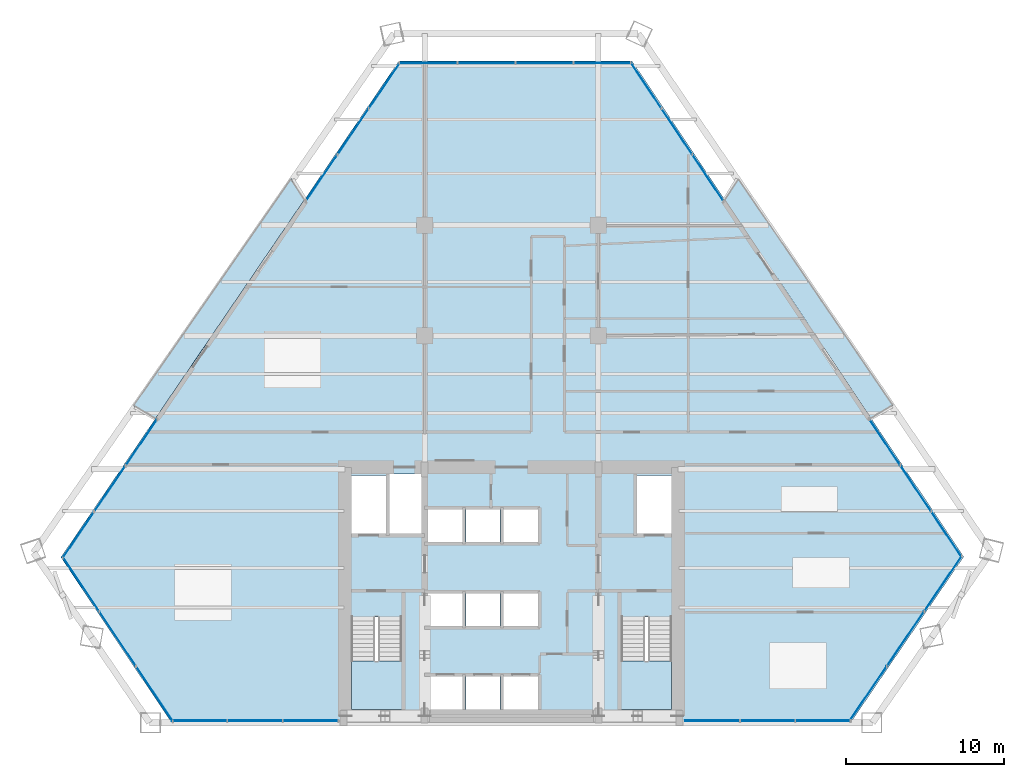
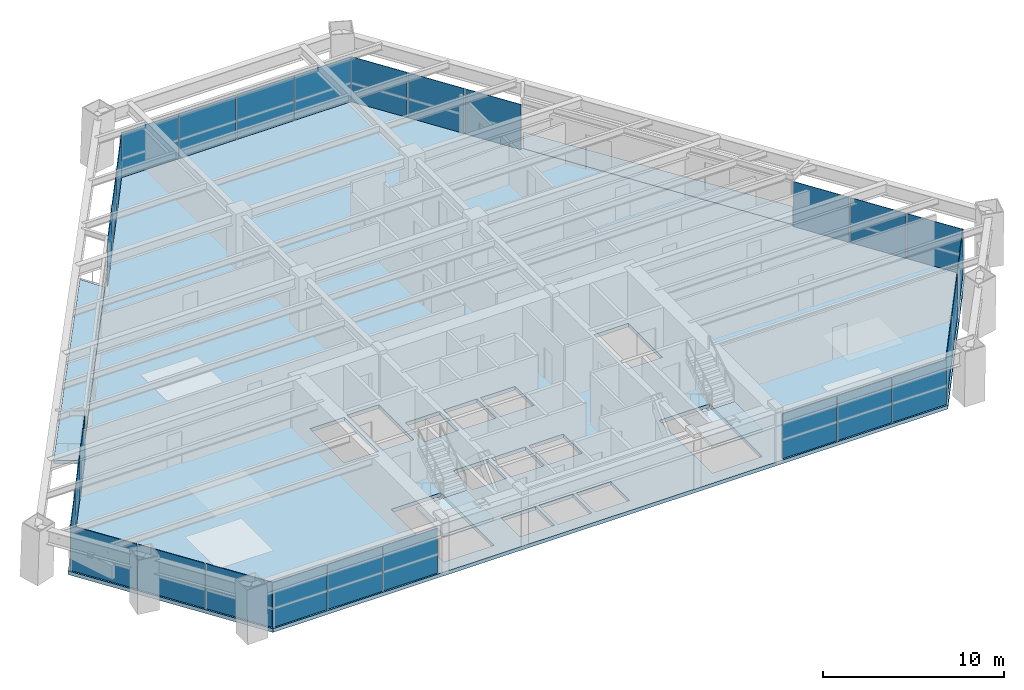
# One storey, part 9 of 14: 28 plates, 5 slabs, 11 elements without a shape of their own.
"""IFC4 building model written with IfcOpenShell, lengths in metres."""

import ifcopenshell
import ifcopenshell.guid

model = None  # the IFC model being written
_history = None  # IfcOwnerHistory: only IFC2X3 demands one
_inside = {}  # id of a spatial element -> (the spatial element, [elements in it])
_under = {}  # id of a project, library or spatial element -> (it, [spatial elements below it])
_declared = {}  # id of a project -> (the project, [libraries it declares])
_typed = {}  # id of a type object -> (the type object, [elements of that type])
_made_of = {}  # id of a material, layer set ... -> (it, [elements and type objects made of it])


def new_model(schema):
    """Start an empty IFC model of exactly this schema.

    Asked for "IFC4X3", IfcOpenShell would pick the latest addendum, in which some entities
    have other attributes; the version numbers below select the first issue.
    IFC2X3 requires an IfcOwnerHistory on every rooted entity: one is made here for all.
    """
    global model, _history
    if schema == "IFC4X3":
        model = ifcopenshell.file(schema_version=(4, 3, 0, 0))
    else:
        model = ifcopenshell.file(schema=schema)
    _inside.clear()
    _under.clear()
    _declared.clear()
    _typed.clear()
    _made_of.clear()
    _history = None
    if model.schema == "IFC2X3":
        org = make("IfcOrganization", Name="unknown")
        user = make(
            "IfcPersonAndOrganization",
            ThePerson=make("IfcPerson", FamilyName="unknown"),
            TheOrganization=org,
        )
        app = make(
            "IfcApplication",
            ApplicationDeveloper=org,
            Version="unknown",
            ApplicationFullName="unknown",
            ApplicationIdentifier="unknown",
        )
        _history = make(
            "IfcOwnerHistory",
            OwningUser=user,
            OwningApplication=app,
            ChangeAction="ADDED",
            CreationDate=0,
        )
    return model


def make(cls, **values):
    """One entity of the class cls with the attributes given. An attribute that is None is left unset."""
    return model.create_entity(
        cls, **{name: value for name, value in values.items() if value is not None}
    )


def rooted(cls, **values):
    """An entity with a GlobalId (a new one), such as an element, a storey or a relation."""
    return make(cls, GlobalId=ifcopenshell.guid.new(), OwnerHistory=_history, **values)


def si_unit(unit_type, name, prefix=None):
    """IfcSIUnit, for example si_unit("LENGTHUNIT", "METRE", prefix="MILLI")."""
    return make("IfcSIUnit", UnitType=unit_type, Prefix=prefix, Name=name)


def assignment(units):
    """IfcUnitAssignment: the units of a project."""
    return None if units is None else make("IfcUnitAssignment", Units=units)


def point(xyz):
    """IfcCartesianPoint."""
    return None if xyz is None else make("IfcCartesianPoint", Coordinates=xyz)


def direction(xyz):
    """IfcDirection."""
    return None if xyz is None else make("IfcDirection", DirectionRatios=xyz)


def frame(location, z_axis=None, x_axis=None):
    """IfcAxis2Placement3D, a coordinate frame: its origin and axes. An axis left out is left unset."""
    return make(
        "IfcAxis2Placement3D",
        Location=point(location),
        Axis=direction(z_axis),
        RefDirection=direction(x_axis),
    )


def frame_2d(location, x_axis=None):
    """IfcAxis2Placement2D, a coordinate frame in the plane: its origin and x axis."""
    return make(
        "IfcAxis2Placement2D", Location=point(location), RefDirection=direction(x_axis)
    )


def origin():
    """The frame at (0, 0, 0) with its axes left unset."""
    return frame((0.0, 0.0, 0.0))


def origin_2d():
    """The frame at (0, 0) in the plane with its x axis left unset."""
    return frame_2d((0.0, 0.0))


def place(relative_to, where):
    """IfcLocalPlacement: puts the frame where relative to a parent placement (None: the world)."""
    return make(
        "IfcLocalPlacement", PlacementRelTo=relative_to, RelativePlacement=where
    )


def context(
    kind, dimensions, precision=None, world=None, true_north=None, identifier=None
):
    """IfcGeometricRepresentationContext, for example the 3D "Model" context."""
    return make(
        "IfcGeometricRepresentationContext",
        ContextIdentifier=identifier,
        ContextType=kind,
        CoordinateSpaceDimension=dimensions,
        Precision=precision,
        WorldCoordinateSystem=world,
        TrueNorth=true_north,
    )


def subcontext(parent, identifier, kind, view, scale=None):
    """IfcGeometricRepresentationSubContext, for example "Body" below "Model"."""
    return make(
        "IfcGeometricRepresentationSubContext",
        ContextIdentifier=identifier,
        ContextType=kind,
        ParentContext=parent,
        TargetScale=scale,
        TargetView=view,
    )


def project(units=None, contexts=None):
    """IfcProject with its units and contexts."""
    return rooted(
        "IfcProject",
        Name="project",
        RepresentationContexts=contexts,
        UnitsInContext=assignment(units),
    )


def spatial(cls, under=None, at=None, **own):
    """A site, building, storey or space (cls), placed at a placement, below another one or the project."""
    s = rooted(cls, ObjectPlacement=at, **own)
    if under is not None:
        _under.setdefault(under.id(), (under, []))[1].append(s)
    return s


def polyline(points):
    """IfcPolyline through the points."""
    return make("IfcPolyline", Points=[point(p) for p in points])


def profile(cls, at=None, kind="AREA", **sizes):
    """A parametric profile (cls). Its sizes go by their IFC names, for example OverallWidth=200.0."""
    return make(cls, ProfileType=kind, Position=at, **sizes)


def rectangle(**sizes):
    """IfcRectangleProfileDef."""
    return profile("IfcRectangleProfileDef", **sizes)


def outline(outer, holes=None, kind="AREA"):
    """IfcArbitraryClosedProfileDef: a profile drawn as a closed curve; with holes, ...WithVoids."""
    if holes is None:
        return make("IfcArbitraryClosedProfileDef", ProfileType=kind, OuterCurve=outer)
    return make(
        "IfcArbitraryProfileDefWithVoids",
        ProfileType=kind,
        OuterCurve=outer,
        InnerCurves=holes,
    )


def extrude(swept, where, along, depth):
    """IfcExtrudedAreaSolid: the profile swept, set in the frame where, extruded along a direction by depth."""
    return make(
        "IfcExtrudedAreaSolid",
        SweptArea=swept,
        Position=where,
        ExtrudedDirection=direction(along),
        Depth=depth,
    )


def shape(context_of_items, identifier, shape_type, items):
    """IfcShapeRepresentation: the items that make up one representation, for example the "Body"."""
    return make(
        "IfcShapeRepresentation",
        ContextOfItems=context_of_items,
        RepresentationIdentifier=identifier,
        RepresentationType=shape_type,
        Items=items,
    )


def source(mapping_origin, context_of_items, identifier, shape_type, items):
    """IfcRepresentationMap: a shape defined once, which mapped items show again and again."""
    return make(
        "IfcRepresentationMap",
        MappingOrigin=mapping_origin,
        MappedRepresentation=shape(context_of_items, identifier, shape_type, items),
    )


def transform(
    local_origin,
    x_axis=None,
    y_axis=None,
    z_axis=None,
    scale=None,
    scale2=None,
    scale3=None,
    uniform=True,
):
    """IfcCartesianTransformationOperator3D, or its non-uniform kind. x_axis, y_axis, z_axis: its Axis1, 2, 3."""
    if uniform:
        return make(
            "IfcCartesianTransformationOperator3D",
            Axis1=direction(x_axis),
            Axis2=direction(y_axis),
            LocalOrigin=point(local_origin),
            Scale=scale,
            Axis3=direction(z_axis),
        )
    return make(
        "IfcCartesianTransformationOperator3DnonUniform",
        Axis1=direction(x_axis),
        Axis2=direction(y_axis),
        LocalOrigin=point(local_origin),
        Scale=scale,
        Axis3=direction(z_axis),
        Scale2=scale2,
        Scale3=scale3,
    )


def mapped(mapping_source, mapping_target):
    """IfcMappedItem: shows the shape of a source again, moved by a transform."""
    return make(
        "IfcMappedItem", MappingSource=mapping_source, MappingTarget=mapping_target
    )


def material(Name=None, Category=None):
    """IfcMaterial."""
    return make("IfcMaterial", Name=Name, Category=Category)


def layer(
    of_material, thickness, ventilated=None, Name=None, Category=None, Priority=None
):
    """IfcMaterialLayer: one layer of a wall or slab, of a material (None: an air gap)."""
    return make(
        "IfcMaterialLayer",
        Material=of_material,
        LayerThickness=thickness,
        IsVentilated=ventilated,
        Name=Name,
        Category=Category,
        Priority=Priority,
    )


def layer_set(layers, Name=None):
    """IfcMaterialLayerSet."""
    return make("IfcMaterialLayerSet", MaterialLayers=layers, LayerSetName=Name)


def made_of(thing, what):
    """Note that an element or type object is made of a material, layer set ...; save() writes the relation."""
    if what is not None:
        _made_of.setdefault(what.id(), (what, []))[1].append(thing)
    return thing


def type_object(cls, material=None, **own):
    """A type object (cls), such as IfcWallType, which elements share."""
    return made_of(rooted(cls, **own), material)


def element(
    cls,
    number,
    at=None,
    inside=None,
    cuts=None,
    type_object=None,
    material=None,
    context=None,
    identifier="Body",
    shape_type=None,
    held_by="IfcProductDefinitionShape",
    body=None,
    shapes=None,
    **own,
):
    """One element of the class cls, such as IfcWall. Its Tag is "e" and its number.

    at: its placement. inside: the storey or other place that contains it. cuts: it is an
    opening in that element (IfcRelVoidsElement). A single representation is given by context,
    identifier, shape_type and body (its items); several are given by shapes. held_by: the class
    of the entity that holds the representations. save() writes the other relations.
    """
    e = rooted(cls, Tag="e%d" % number, ObjectPlacement=at, **own)
    if body is not None:
        shapes = [shape(context, identifier, shape_type, body)]
    if shapes is not None:
        e.Representation = make(held_by, Representations=shapes)
    if inside is not None:
        _inside.setdefault(inside.id(), (inside, []))[1].append(e)
    if cuts is not None:
        rooted(
            "IfcRelVoidsElement", RelatingBuildingElement=cuts, RelatedOpeningElement=e
        )
    if type_object is not None:
        _typed.setdefault(type_object.id(), (type_object, []))[1].append(e)
    return made_of(e, material)


def aggregate(whole, parts):
    """IfcRelAggregates: a whole, such as a stair, and the parts it consists of."""
    return rooted("IfcRelAggregates", RelatingObject=whole, RelatedObjects=parts)


def save(model, path):
    """Write the relations noted so far, then the file.

    IfcRelAggregates (storeys below a building ...), IfcRelContainedInSpatialStructure (elements
    in a storey), IfcRelDefinesByType, IfcRelAssociatesMaterial and IfcRelDeclares: one each for
    every whole, place, type object, material and project.
    """
    for whole, parts in _under.values():
        aggregate(whole, parts)
    for where, things in _inside.values():
        rooted(
            "IfcRelContainedInSpatialStructure",
            RelatedElements=things,
            RelatingStructure=where,
        )
    for kind, things in _typed.values():
        rooted("IfcRelDefinesByType", RelatedObjects=things, RelatingType=kind)
    for what, things in _made_of.values():
        rooted("IfcRelAssociatesMaterial", RelatedObjects=things, RelatingMaterial=what)
    for by, libraries in _declared.values():
        rooted("IfcRelDeclares", RelatingContext=by, RelatedDefinitions=libraries)
    model.write(path)


model = new_model("IFC4")

# Units and contexts
model_context = context("Model", 3, precision=1e-05, world=origin(), true_north=direction((0.0, 1.0)))
body_context = subcontext(model_context, "Body", "Model", "MODEL_VIEW")
ifc_project = project(units=[si_unit("LENGTHUNIT", "METRE"), si_unit("AREAUNIT", "SQUARE_METRE"), si_unit("VOLUMEUNIT", "CUBIC_METRE"), si_unit("PLANEANGLEUNIT", "RADIAN"), si_unit("MASSUNIT", "GRAM", prefix="KILO")], contexts=[model_context])

# Site, building, storey
site_placement = place(None, origin())
site = spatial("IfcSite", under=ifc_project, at=site_placement, CompositionType="ELEMENT")
building_placement = place(site_placement, origin())
building = spatial("IfcBuilding", under=site, at=building_placement, Name="Varnakhor Terracotta Tower", CompositionType="ELEMENT")
storey_placement = place(building_placement, frame((0.0, 0.0, 49.699951171875)))
storey = spatial("IfcBuildingStorey", under=building, at=storey_placement, Name="L11", CompositionType="ELEMENT", Elevation=49.699951171875)

# Stair, slab
ifc_material_1 = material(Name="Concrete C40/50", Category="concrete")
stair_type = type_object("IfcStairType", Name="STR-CORE-OFFICE-1500", PredefinedType="HALF_TURN_STAIR", material=ifc_material_1)
stair_1_placement = place(storey_placement, origin())
stair_1 = element("IfcStair", 1, at=stair_1_placement, inside=storey, type_object=stair_type, Name="L11 Core Exit Stair ST-1", PredefinedType="HALF_TURN_STAIR")
ifc_layer_1 = layer(ifc_material_1, 0.179931640625, Name="Concrete C40/50")
ifc_layer_set_1 = layer_set([ifc_layer_1], Name="Concrete C40/50")
slab_type_1 = type_object("IfcSlabType", Name="SLB-LANDING-180", PredefinedType="LANDING", material=ifc_layer_set_1)
slab_1_placement = place(storey_placement, frame((0.0, 0.0, 1.650146484375)))
slab_1 = element("IfcSlab", 2, at=slab_1_placement, type_object=slab_type_1, Name="ST-1 landing 1", PredefinedType="LANDING", context=body_context, shape_type="SweptSolid", body=[
    extrude(outline(polyline([(-10.14990234375, 3.909912109375), (-10.14990234375, 0.85009765625), (-6.949951171875, 0.85009765625), (-6.949951171875, 3.909912109375), (-10.14990234375, 3.909912109375)])), origin(), (0.0, 0.0, 1.0), 0.199951171875),
])
aggregate(stair_1, [slab_1])

stair_2_placement = place(storey_placement, origin())
stair_2 = element("IfcStair", 3, at=stair_2_placement, inside=storey, type_object=stair_type, Name="L11 Core Exit Stair ST-2", PredefinedType="HALF_TURN_STAIR")
slab_2_placement = place(storey_placement, frame((0.0, 0.0, 1.650146484375)))
slab_2 = element("IfcSlab", 4, at=slab_2_placement, type_object=slab_type_1, Name="ST-2 landing 1", PredefinedType="LANDING", context=body_context, shape_type="SweptSolid", body=[
    extrude(outline(polyline([(6.949951171875, 3.909912109375), (6.949951171875, 0.85009765625), (10.14990234375, 0.85009765625), (10.14990234375, 3.909912109375), (6.949951171875, 3.909912109375)])), origin(), (0.0, 0.0, 1.0), 0.199951171875),
])
aggregate(stair_2, [slab_2])

# Slabs
ifc_layer_2 = layer(ifc_material_1, 0.195068359375, Name="Concrete C40/50")
ifc_layer_set_2 = layer_set([ifc_layer_2], Name="Concrete C40/50")
slab_type_2 = type_object("IfcSlabType", Name="SLB-LOGGIA-EXT-195", PredefinedType="FLOOR", material=ifc_layer_set_2)
slab_3_placement = place(storey_placement, frame((0.0, 0.0, -0.195068359375)))
element("IfcSlab", 5, at=slab_3_placement, inside=storey, type_object=slab_type_2, Name="L11 E Recessed Outdoor Loggia Slab", PredefinedType="FLOOR", context=body_context, shape_type="SweptSolid", body=[
    extrude(outline(polyline([(14.34130859375, 34.466064453125), (24.1591796875, 20.08984375), (22.762939453125, 19.304443359375), (13.52001953125, 33.118896484375), (14.34130859375, 34.466064453125)])), origin(), (0.0, 0.0, 1.0), 0.195068359375),
])
slab_4_placement = place(storey_placement, frame((0.0, 0.0, -0.195068359375)))
element("IfcSlab", 6, at=slab_4_placement, inside=storey, type_object=slab_type_2, Name="L11 W Recessed Outdoor Loggia Slab", PredefinedType="FLOOR", context=body_context, shape_type="SweptSolid", body=[
    extrude(outline(polyline([(-23.9482421875, 20.0595703125), (-13.951416015625, 34.454345703125), (-13.12939453125, 33.107421875), (-14.80078125, 30.65380859375), (-22.550537109375, 19.275390625), (-23.9482421875, 20.0595703125)])), origin(), (0.0, 0.0, 1.0), 0.195068359375),
])
ifc_layer_3 = layer(ifc_material_1, 0.25, Name="Concrete C40/50")
ifc_layer_set_3 = layer_set([ifc_layer_3], Name="Concrete C40/50")
slab_type_3 = type_object("IfcSlabType", Name="SLB-OFF-250", PredefinedType="FLOOR", material=ifc_layer_set_3)
slab_5_placement = place(storey_placement, frame((0.0, 0.0, -0.25)))
element("IfcSlab", 7, at=slab_5_placement, inside=storey, type_object=slab_type_3, Name="L11 Structural Floor Slab", PredefinedType="FLOOR", context=body_context, shape_type="SweptSolid", body=[
    extrude(outline(polyline([(-28.5458984375, 10.47314453125), (-7.13427734375, 41.909912109375), (7.63818359375, 41.909912109375), (28.644775390625, 10.513427734375), (21.48388671875, 0.0), (-21.53857421875, 0.0), (-28.5458984375, 10.47314453125)]), holes=[polyline([(-3.10009765625, 0.85009765625), (-3.10009765625, 2.949951171875), (-5.300048828125, 2.949951171875), (-5.300048828125, 0.85009765625), (-3.10009765625, 0.85009765625)]), polyline([(-2.8798828125, 0.85009765625), (-0.719970703125, 0.85009765625), (-0.719970703125, 2.949951171875), (-2.8798828125, 2.949951171875), (-2.8798828125, 0.85009765625)]), polyline([(-10.14990234375, 0.85009765625), (-6.949951171875, 0.85009765625), (-6.949951171875, 6.695068359375), (-10.14990234375, 6.695068359375), (-10.14990234375, 0.85009765625)]), polyline([(-5.300048828125, 6.10009765625), (-3.10009765625, 6.10009765625), (-3.10009765625, 8.199951171875), (-5.300048828125, 8.199951171875), (-5.300048828125, 6.10009765625)]), polyline([(-5.300048828125, 11.419921875), (-3.10009765625, 11.419921875), (-3.10009765625, 13.52001953125), (-5.300048828125, 13.52001953125), (-5.300048828125, 11.419921875)]), polyline([(-10.14990234375, 11.8798828125), (-7.949951171875, 11.8798828125), (-7.949951171875, 15.64990234375), (-10.14990234375, 15.64990234375), (-10.14990234375, 11.8798828125)]), polyline([(-7.72998046875, 11.8798828125), (-5.699951171875, 11.8798828125), (-5.699951171875, 15.75), (-7.72998046875, 15.75), (-7.72998046875, 11.8798828125)]), polyline([(1.699951171875, 0.85009765625), (1.699951171875, 2.949951171875), (-0.5, 2.949951171875), (-0.5, 0.85009765625), (1.699951171875, 0.85009765625)]), polyline([(6.949951171875, 0.85009765625), (10.14990234375, 0.85009765625), (10.14990234375, 6.695068359375), (6.949951171875, 6.695068359375), (6.949951171875, 0.85009765625)]), polyline([(-2.8798828125, 6.10009765625), (-0.719970703125, 6.10009765625), (-0.719970703125, 8.199951171875), (-2.8798828125, 8.199951171875), (-2.8798828125, 6.10009765625)]), polyline([(-0.5, 6.10009765625), (1.699951171875, 6.10009765625), (1.699951171875, 8.199951171875), (-0.5, 8.199951171875), (-0.5, 6.10009765625)]), polyline([(-2.8798828125, 11.419921875), (-0.719970703125, 11.419921875), (-0.719970703125, 13.52001953125), (-2.8798828125, 13.52001953125), (-2.8798828125, 11.419921875)]), polyline([(-0.5, 11.419921875), (1.699951171875, 11.419921875), (1.699951171875, 13.52001953125), (-0.5, 13.52001953125), (-0.5, 11.419921875)]), polyline([(7.949951171875, 11.8798828125), (10.14990234375, 11.8798828125), (10.14990234375, 15.64990234375), (7.949951171875, 15.64990234375), (7.949951171875, 11.8798828125)])]), origin(), (0.0, 0.0, 1.0), 0.25),
])

# Curtain wall, plates
ifc_material_2 = material(Name="Anodised Aluminium Curtain Wall System", Category="aluminium")
curtain_wall_type = type_object("IfcCurtainWallType", Name="CW-SYS-LOW-OFFICE", PredefinedType="NOTDEFINED", material=ifc_material_2)
curtain_wall_1_placement = place(storey_placement, origin())
curtain_wall_1 = element("IfcCurtainWall", 8, at=curtain_wall_1_placement, inside=storey, type_object=curtain_wall_type, Name="L11 W Facet Curtain Wall 1", PredefinedType="NOTDEFINED")
ifc_material_3 = material(Name="Solar-Control Low-E Insulated Glass Panel", Category="glass")
ifc_layer_4 = layer(ifc_material_3, 0.0380859375, Name="Solar-Control Low-E Insulated Glass Panel")
ifc_layer_set_4 = layer_set([ifc_layer_4], Name="Solar-Control Low-E Insulated Glass Panel")
plate_type = type_object("IfcPlateType", Name="CWP-02", PredefinedType="CURTAIN_PANEL", material=ifc_layer_set_4)
shared_shape_1 = source(origin(), body_context, "Body", "SweptSolid", [
    extrude(rectangle(XDim=3.489990234375, YDim=0.035888671875, at=origin_2d()), origin(), (0.0, 0.0, 1.0), 3.030029296875),
])
plate_1_placement = place(storey_placement, frame((-27.43603515625, 11.88916015625, 0.0), z_axis=(0.0, 0.0, 1.0), x_axis=(0.562934761165, 0.826501333739, 0.0)))
plate_1 = element("IfcPlate", 9, at=plate_1_placement, type_object=plate_type, Name="L11 W Facet Curtain Wall 1 Glazed Panel 1", PredefinedType="CURTAIN_PANEL", context=body_context, shape_type="MappedRepresentation", body=[
    mapped(shared_shape_1, transform((0.0, 0.0, 0.0), scale=1.0)),
])
plate_2_placement = place(storey_placement, frame((-25.448974609375, 14.806640625, 0.0), z_axis=(0.0, 0.0, 1.0), x_axis=(0.562934761165, 0.826501333739, 0.0)))
plate_2 = element("IfcPlate", 10, at=plate_2_placement, type_object=plate_type, Name="L11 W Facet Curtain Wall 1 Glazed Panel 2", PredefinedType="CURTAIN_PANEL", context=body_context, shape_type="MappedRepresentation", body=[
    mapped(shared_shape_1, transform((0.0, 0.0, 0.0), scale=1.0)),
])
plate_3_placement = place(storey_placement, frame((-23.4619140625, 17.72412109375, 0.0), z_axis=(0.0, 0.0, 1.0), x_axis=(0.562934761165, 0.826501333739, 0.0)))
plate_3 = element("IfcPlate", 11, at=plate_3_placement, type_object=plate_type, Name="L11 W Facet Curtain Wall 1 Glazed Panel 3", PredefinedType="CURTAIN_PANEL", context=body_context, shape_type="MappedRepresentation", body=[
    mapped(shared_shape_1, transform((0.0, 0.0, 0.0), scale=1.0)),
])
aggregate(curtain_wall_1, [plate_1, plate_2, plate_3])

curtain_wall_2_placement = place(storey_placement, origin())
curtain_wall_2 = element("IfcCurtainWall", 12, at=curtain_wall_2_placement, inside=storey, type_object=curtain_wall_type, Name="L11 W Facet Curtain Wall 2", PredefinedType="NOTDEFINED")
plate_4_placement = place(storey_placement, frame((-12.02001953125, 34.523681640625, 0.0), z_axis=(0.0, 0.0, 1.0), x_axis=(0.562934761165, 0.826501333739, 0.0)))
plate_4 = element("IfcPlate", 13, at=plate_4_placement, type_object=plate_type, Name="L11 W Facet Curtain Wall 2 Glazed Panel 1", PredefinedType="CURTAIN_PANEL", context=body_context, shape_type="MappedRepresentation", body=[
    mapped(shared_shape_1, transform((0.0, 0.0, 0.0), scale=1.0)),
])
plate_5_placement = place(storey_placement, frame((-10.03271484375, 37.441162109375, 0.0), z_axis=(0.0, 0.0, 1.0), x_axis=(0.562934761165, 0.826501333739, 0.0)))
plate_5 = element("IfcPlate", 14, at=plate_5_placement, type_object=plate_type, Name="L11 W Facet Curtain Wall 2 Glazed Panel 2", PredefinedType="CURTAIN_PANEL", context=body_context, shape_type="MappedRepresentation", body=[
    mapped(shared_shape_1, transform((0.0, 0.0, 0.0), scale=1.0)),
])
plate_6_placement = place(storey_placement, frame((-8.045654296875, 40.358642578125, 0.0), z_axis=(0.0, 0.0, 1.0), x_axis=(0.562934761165, 0.826501333739, 0.0)))
plate_6 = element("IfcPlate", 15, at=plate_6_placement, type_object=plate_type, Name="L11 W Facet Curtain Wall 2 Glazed Panel 3", PredefinedType="CURTAIN_PANEL", context=body_context, shape_type="MappedRepresentation", body=[
    mapped(shared_shape_1, transform((0.0, 0.0, 0.0), scale=1.0)),
])
aggregate(curtain_wall_2, [plate_4, plate_5, plate_6])

curtain_wall_3_placement = place(storey_placement, origin())
curtain_wall_3 = element("IfcCurtainWall", 16, at=curtain_wall_3_placement, inside=storey, type_object=curtain_wall_type, Name="L11 Facet Curtain Wall 2", PredefinedType="NOTDEFINED")
shared_shape_2 = source(origin(), body_context, "Body", "SweptSolid", [
    extrude(rectangle(XDim=3.63818359375, YDim=0.035888671875, at=origin_2d()), origin(), (0.0, 0.0, 1.0), 3.030029296875),
])
plate_7_placement = place(storey_placement, frame((-5.26513671875, 41.789794921875, 0.0), z_axis=(0.0, 0.0, 1.0), x_axis=(1.0, 0.0, 0.0)))
plate_7 = element("IfcPlate", 17, at=plate_7_placement, type_object=plate_type, Name="L11 Facet Curtain Wall 2 Glazed Panel 1", PredefinedType="CURTAIN_PANEL", context=body_context, shape_type="MappedRepresentation", body=[
    mapped(shared_shape_2, transform((0.0, 0.0, 0.0), scale=1.0)),
])
plate_8_placement = place(storey_placement, frame((-1.587158203125, 41.789794921875, 0.0), z_axis=(0.0, 0.0, 1.0), x_axis=(1.0, 0.0, 0.0)))
plate_8 = element("IfcPlate", 18, at=plate_8_placement, type_object=plate_type, Name="L11 Facet Curtain Wall 2 Glazed Panel 2", PredefinedType="CURTAIN_PANEL", context=body_context, shape_type="MappedRepresentation", body=[
    mapped(shared_shape_2, transform((0.0, 0.0, 0.0), scale=1.0)),
])
plate_9_placement = place(storey_placement, frame((2.091064453125, 41.789794921875, 0.0), z_axis=(0.0, 0.0, 1.0), x_axis=(1.0, 0.0, 0.0)))
plate_9 = element("IfcPlate", 19, at=plate_9_placement, type_object=plate_type, Name="L11 Facet Curtain Wall 2 Glazed Panel 3", PredefinedType="CURTAIN_PANEL", context=body_context, shape_type="MappedRepresentation", body=[
    mapped(shared_shape_2, transform((0.0, 0.0, 0.0), scale=1.0)),
])
plate_10_placement = place(storey_placement, frame((5.76904296875, 41.789794921875, 0.0), z_axis=(0.0, 0.0, 1.0), x_axis=(1.0, 0.0, 0.0)))
plate_10 = element("IfcPlate", 20, at=plate_10_placement, type_object=plate_type, Name="L11 Facet Curtain Wall 2 Glazed Panel 4", PredefinedType="CURTAIN_PANEL", context=body_context, shape_type="MappedRepresentation", body=[
    mapped(shared_shape_2, transform((0.0, 0.0, 0.0), scale=1.0)),
])
aggregate(curtain_wall_3, [plate_7, plate_8, plate_9, plate_10])

curtain_wall_4_placement = place(storey_placement, origin())
curtain_wall_4 = element("IfcCurtainWall", 21, at=curtain_wall_4_placement, inside=storey, type_object=curtain_wall_type, Name="L11 E Facet Curtain Wall 1", PredefinedType="NOTDEFINED")
shared_shape_3 = source(origin(), body_context, "Body", "SweptSolid", [
    extrude(rectangle(XDim=3.4658203125, YDim=0.035888671875, at=origin_2d()), origin(), (0.0, 0.0, 1.0), 3.030029296875),
])
plate_11_placement = place(storey_placement, frame((8.52978515625, 40.361083984375, 0.0), z_axis=(0.0, 0.0, 1.0), x_axis=(0.556092551085, -0.831120373127, 0.0)))
plate_11 = element("IfcPlate", 22, at=plate_11_placement, type_object=plate_type, Name="L11 E Facet Curtain Wall 1 Glazed Panel 1", PredefinedType="CURTAIN_PANEL", context=body_context, shape_type="MappedRepresentation", body=[
    mapped(shared_shape_3, transform((0.0, 0.0, 0.0), scale=1.0)),
])
plate_12_placement = place(storey_placement, frame((10.4794921875, 37.447509765625, 0.0), z_axis=(0.0, 0.0, 1.0), x_axis=(0.556092551085, -0.831120373127, 0.0)))
plate_12 = element("IfcPlate", 23, at=plate_12_placement, type_object=plate_type, Name="L11 E Facet Curtain Wall 1 Glazed Panel 2", PredefinedType="CURTAIN_PANEL", context=body_context, shape_type="MappedRepresentation", body=[
    mapped(shared_shape_3, transform((0.0, 0.0, 0.0), scale=1.0)),
])
plate_13_placement = place(storey_placement, frame((12.428955078125, 34.533935546875, 0.0), z_axis=(0.0, 0.0, 1.0), x_axis=(0.556092551085, -0.831120373127, 0.0)))
plate_13 = element("IfcPlate", 24, at=plate_13_placement, type_object=plate_type, Name="L11 E Facet Curtain Wall 1 Glazed Panel 3", PredefinedType="CURTAIN_PANEL", context=body_context, shape_type="MappedRepresentation", body=[
    mapped(shared_shape_3, transform((0.0, 0.0, 0.0), scale=1.0)),
])
aggregate(curtain_wall_4, [plate_11, plate_12, plate_13])

curtain_wall_5_placement = place(storey_placement, origin())
curtain_wall_5 = element("IfcCurtainWall", 25, at=curtain_wall_5_placement, inside=storey, type_object=curtain_wall_type, Name="L11 E Facet Curtain Wall 2", PredefinedType="NOTDEFINED")
plate_14_placement = place(storey_placement, frame((23.65478515625, 17.755859375, 0.0), z_axis=(0.0, 0.0, 1.0), x_axis=(0.556092551085, -0.831120373127, 0.0)))
plate_14 = element("IfcPlate", 26, at=plate_14_placement, type_object=plate_type, Name="L11 E Facet Curtain Wall 2 Glazed Panel 1", PredefinedType="CURTAIN_PANEL", context=body_context, shape_type="MappedRepresentation", body=[
    mapped(shared_shape_3, transform((0.0, 0.0, 0.0), scale=1.0)),
])
plate_15_placement = place(storey_placement, frame((25.604248046875, 14.84228515625, 0.0), z_axis=(0.0, 0.0, 1.0), x_axis=(0.556092551085, -0.831120373127, 0.0)))
plate_15 = element("IfcPlate", 27, at=plate_15_placement, type_object=plate_type, Name="L11 E Facet Curtain Wall 2 Glazed Panel 2", PredefinedType="CURTAIN_PANEL", context=body_context, shape_type="MappedRepresentation", body=[
    mapped(shared_shape_3, transform((0.0, 0.0, 0.0), scale=1.0)),
])
plate_16_placement = place(storey_placement, frame((27.5537109375, 11.9287109375, 0.0), z_axis=(0.0, 0.0, 1.0), x_axis=(0.556092551085, -0.831120373127, 0.0)))
plate_16 = element("IfcPlate", 28, at=plate_16_placement, type_object=plate_type, Name="L11 E Facet Curtain Wall 2 Glazed Panel 3", PredefinedType="CURTAIN_PANEL", context=body_context, shape_type="MappedRepresentation", body=[
    mapped(shared_shape_3, transform((0.0, 0.0, 0.0), scale=1.0)),
])
aggregate(curtain_wall_5, [plate_14, plate_15, plate_16])

curtain_wall_6_placement = place(storey_placement, origin())
curtain_wall_6 = element("IfcCurtainWall", 29, at=curtain_wall_6_placement, inside=storey, type_object=curtain_wall_type, Name="L11 Facet Curtain Wall 4", PredefinedType="NOTDEFINED")
shared_shape_4 = source(origin(), body_context, "Body", "SweptSolid", [
    extrude(rectangle(XDim=4.18017578125, YDim=0.035888671875, at=origin_2d()), origin(), (0.0, 0.0, 1.0), 3.030029296875),
])
plate_17_placement = place(storey_placement, frame((27.3408203125, 8.812255859375, 0.0), z_axis=(0.0, 0.0, 1.0), x_axis=(-0.562934761165, -0.826501333739, 0.0)))
plate_17 = element("IfcPlate", 30, at=plate_17_placement, type_object=plate_type, Name="L11 Facet Curtain Wall 4 Glazed Panel 1", PredefinedType="CURTAIN_PANEL", context=body_context, shape_type="MappedRepresentation", body=[
    mapped(shared_shape_4, transform((0.0, 0.0, 0.0), scale=1.0)),
])
plate_18_placement = place(storey_placement, frame((24.965087890625, 5.32421875, 0.0), z_axis=(0.0, 0.0, 1.0), x_axis=(-0.562934761165, -0.826501333739, 0.0)))
plate_18 = element("IfcPlate", 31, at=plate_18_placement, type_object=plate_type, Name="L11 Facet Curtain Wall 4 Glazed Panel 2", PredefinedType="CURTAIN_PANEL", context=body_context, shape_type="MappedRepresentation", body=[
    mapped(shared_shape_4, transform((0.0, 0.0, 0.0), scale=1.0)),
])
plate_19_placement = place(storey_placement, frame((22.589599609375, 1.836181640625, 0.0), z_axis=(0.0, 0.0, 1.0), x_axis=(-0.562934761165, -0.826501333739, 0.0)))
plate_19 = element("IfcPlate", 32, at=plate_19_placement, type_object=plate_type, Name="L11 Facet Curtain Wall 4 Glazed Panel 3", PredefinedType="CURTAIN_PANEL", context=body_context, shape_type="MappedRepresentation", body=[
    mapped(shared_shape_4, transform((0.0, 0.0, 0.0), scale=1.0)),
])
aggregate(curtain_wall_6, [plate_17, plate_18, plate_19])

curtain_wall_7_placement = place(storey_placement, origin())
curtain_wall_7 = element("IfcCurtainWall", 33, at=curtain_wall_7_placement, inside=storey, type_object=curtain_wall_type, Name="L11 South Wing Curtain Wall SSE", PredefinedType="NOTDEFINED")
shared_shape_5 = source(origin(), body_context, "Body", "SweptSolid", [
    extrude(rectangle(XDim=3.461181640625, YDim=0.035888671875, at=origin_2d()), origin(), (0.0, 0.0, 1.0), 3.030029296875),
])
plate_20_placement = place(storey_placement, frame((19.723388671875, 0.1201171875, 0.0), z_axis=(0.0, 0.0, 1.0), x_axis=(-1.0, 0.0, 0.0)))
plate_20 = element("IfcPlate", 34, at=plate_20_placement, type_object=plate_type, Name="L11 South Wing Curtain Wall SSE Glazed Panel 1", PredefinedType="CURTAIN_PANEL", context=body_context, shape_type="MappedRepresentation", body=[
    mapped(shared_shape_5, transform((0.0, 0.0, 0.0), scale=1.0)),
])
plate_21_placement = place(storey_placement, frame((12.720703125, 0.1201171875, 0.0), z_axis=(0.0, 0.0, 1.0), x_axis=(-1.0, 0.0, 0.0)))
plate_21 = element("IfcPlate", 35, at=plate_21_placement, type_object=plate_type, Name="L11 South Wing Curtain Wall SSE Glazed Panel 3", PredefinedType="CURTAIN_PANEL", context=body_context, shape_type="MappedRepresentation", body=[
    mapped(shared_shape_5, transform((0.0, 0.0, 0.0), scale=1.0)),
])
shared_shape_6 = source(origin(), body_context, "Body", "SweptSolid", [
    extrude(rectangle(XDim=3.46142578125, YDim=0.035888671875, at=origin_2d()), origin(), (0.0, 0.0, 1.0), 3.030029296875),
])
plate_22_placement = place(storey_placement, frame((16.221923828125, 0.1201171875, 0.0), z_axis=(0.0, 0.0, 1.0), x_axis=(-1.0, 0.0, 0.0)))
plate_22 = element("IfcPlate", 36, at=plate_22_placement, type_object=plate_type, Name="L11 South Wing Curtain Wall SSE Glazed Panel 2", PredefinedType="CURTAIN_PANEL", context=body_context, shape_type="MappedRepresentation", body=[
    mapped(shared_shape_6, transform((0.0, 0.0, 0.0), scale=1.0)),
])
aggregate(curtain_wall_7, [plate_20, plate_22, plate_21])

curtain_wall_8_placement = place(storey_placement, origin())
curtain_wall_8 = element("IfcCurtainWall", 37, at=curtain_wall_8_placement, inside=storey, type_object=curtain_wall_type, Name="L11 South Wing Curtain Wall SSW", PredefinedType="NOTDEFINED")
shared_shape_7 = source(origin(), body_context, "Body", "SweptSolid", [
    extrude(rectangle(XDim=3.4794921875, YDim=0.035888671875, at=origin_2d()), origin(), (0.0, 0.0, 1.0), 3.030029296875),
])
plate_23_placement = place(storey_placement, frame((-12.729736328125, 0.1201171875, 0.0), z_axis=(0.0, 0.0, 1.0), x_axis=(-1.0, 0.0, 0.0)))
plate_23 = element("IfcPlate", 38, at=plate_23_placement, type_object=plate_type, Name="L11 South Wing Curtain Wall SSW Glazed Panel 1", PredefinedType="CURTAIN_PANEL", context=body_context, shape_type="MappedRepresentation", body=[
    mapped(shared_shape_7, transform((0.0, 0.0, 0.0), scale=1.0)),
])
plate_24_placement = place(storey_placement, frame((-16.249267578125, 0.1201171875, 0.0), z_axis=(0.0, 0.0, 1.0), x_axis=(-1.0, 0.0, 0.0)))
plate_24 = element("IfcPlate", 39, at=plate_24_placement, type_object=plate_type, Name="L11 South Wing Curtain Wall SSW Glazed Panel 2", PredefinedType="CURTAIN_PANEL", context=body_context, shape_type="MappedRepresentation", body=[
    mapped(shared_shape_7, transform((0.0, 0.0, 0.0), scale=1.0)),
])
plate_25_placement = place(storey_placement, frame((-19.768798828125, 0.1201171875, 0.0), z_axis=(0.0, 0.0, 1.0), x_axis=(-1.0, 0.0, 0.0)))
plate_25 = element("IfcPlate", 40, at=plate_25_placement, type_object=plate_type, Name="L11 South Wing Curtain Wall SSW Glazed Panel 3", PredefinedType="CURTAIN_PANEL", context=body_context, shape_type="MappedRepresentation", body=[
    mapped(shared_shape_7, transform((0.0, 0.0, 0.0), scale=1.0)),
])
aggregate(curtain_wall_8, [plate_23, plate_24, plate_25])

curtain_wall_9_placement = place(storey_placement, origin())
curtain_wall_9 = element("IfcCurtainWall", 41, at=curtain_wall_9_placement, inside=storey, type_object=curtain_wall_type, Name="L11 Facet Curtain Wall 6", PredefinedType="NOTDEFINED")
shared_shape_8 = source(origin(), body_context, "Body", "SweptSolid", [
    extrude(rectangle(XDim=4.140380859375, YDim=0.035888671875, at=origin_2d()), origin(), (0.0, 0.0, 1.0), 3.030029296875),
])
plate_26_placement = place(storey_placement, frame((-22.617919921875, 1.828857421875, 0.0), z_axis=(0.0, 0.0, 1.0), x_axis=(-0.556092551085, 0.831120373127, 0.0)))
plate_26 = element("IfcPlate", 42, at=plate_26_placement, type_object=plate_type, Name="L11 Facet Curtain Wall 6 Glazed Panel 1", PredefinedType="CURTAIN_PANEL", context=body_context, shape_type="MappedRepresentation", body=[
    mapped(shared_shape_8, transform((0.0, 0.0, 0.0), scale=1.0)),
])
plate_27_placement = place(storey_placement, frame((-24.9423828125, 5.30322265625, 0.0), z_axis=(0.0, 0.0, 1.0), x_axis=(-0.556092551085, 0.831120373127, 0.0)))
plate_27 = element("IfcPlate", 43, at=plate_27_placement, type_object=plate_type, Name="L11 Facet Curtain Wall 6 Glazed Panel 2", PredefinedType="CURTAIN_PANEL", context=body_context, shape_type="MappedRepresentation", body=[
    mapped(shared_shape_8, transform((0.0, 0.0, 0.0), scale=1.0)),
])
plate_28_placement = place(storey_placement, frame((-27.26708984375, 8.777587890625, 0.0), z_axis=(0.0, 0.0, 1.0), x_axis=(-0.556092551085, 0.831120373127, 0.0)))
plate_28 = element("IfcPlate", 44, at=plate_28_placement, type_object=plate_type, Name="L11 Facet Curtain Wall 6 Glazed Panel 3", PredefinedType="CURTAIN_PANEL", context=body_context, shape_type="MappedRepresentation", body=[
    mapped(shared_shape_8, transform((0.0, 0.0, 0.0), scale=1.0)),
])
aggregate(curtain_wall_9, [plate_26, plate_27, plate_28])

save(model, "model.ifc")
